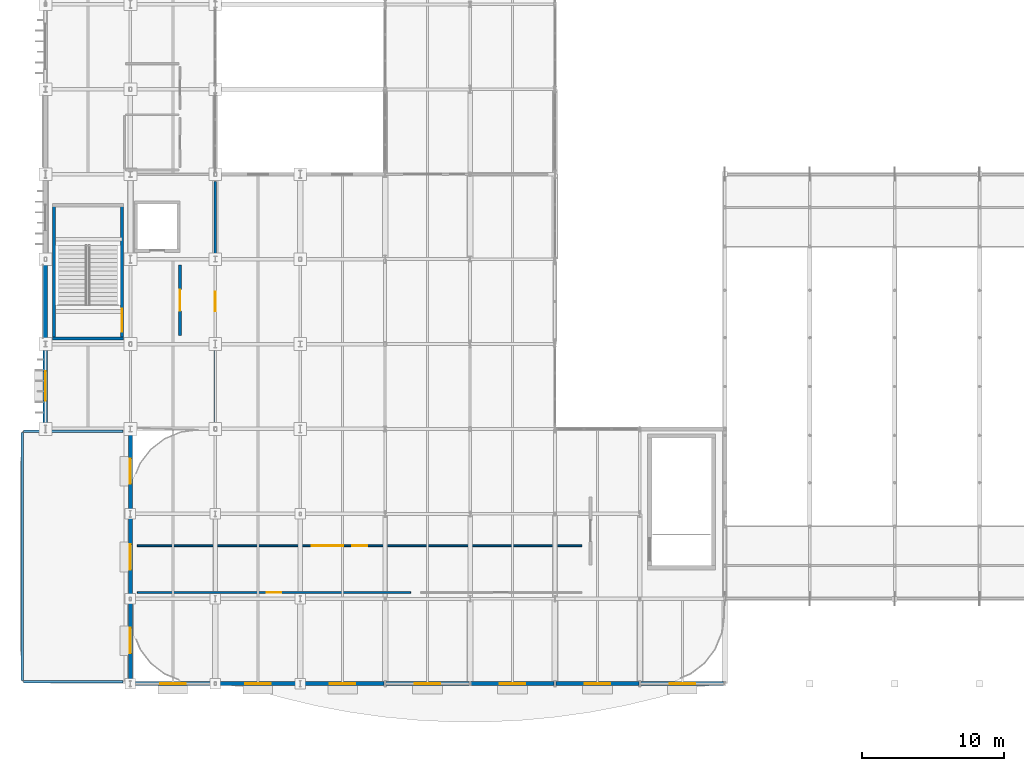
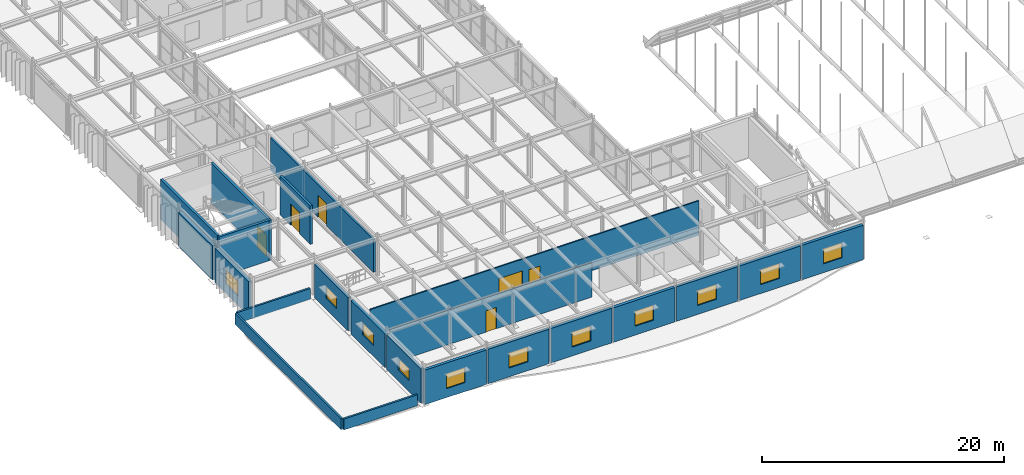
# One storey, part 85 of 116: 22 walls, 12 windows, 5 doors, 17 openings.
"""IFC4 building model written with IfcOpenShell, lengths in metres."""

from ifc_helpers import new_model, si_unit, direction, frame, frame_2d, origin, place, context, subcontext, project, spatial, rectangle, extrude, material, layer, layer_set, type_object, element, fill, save


model = new_model("IFC4")

# Units and contexts
model_context = context("Model", 3, precision=1e-05, world=origin(), true_north=direction((0.0, 1.0)))
body_context = subcontext(model_context, "Body", "Model", "MODEL_VIEW")
ifc_project = project(units=[si_unit("LENGTHUNIT", "METRE"), si_unit("AREAUNIT", "SQUARE_METRE"), si_unit("VOLUMEUNIT", "CUBIC_METRE"), si_unit("PLANEANGLEUNIT", "RADIAN"), si_unit("MASSUNIT", "GRAM", prefix="KILO")], contexts=[model_context])

# Site, building, storey
site_placement = place(None, origin())
site = spatial("IfcSite", under=ifc_project, at=site_placement, CompositionType="ELEMENT")
building_placement = place(site_placement, origin())
building = spatial("IfcBuilding", under=site, at=building_placement, Name="Varnakota Square Police Headquarters", CompositionType="ELEMENT")
storey_placement = place(building_placement, frame((0.0, 0.0, 9.300048828125)))
storey = spatial("IfcBuildingStorey", under=building, at=storey_placement, Name="L02", CompositionType="ELEMENT", Elevation=9.300048828125)

# Wall
ifc_material_1 = material(Name="Concrete M40", Category="concrete")
ifc_layer_1 = layer(ifc_material_1, 0.22998046875, Name="Concrete M40")
ifc_layer_set_1 = layer_set([ifc_layer_1], Name="Concrete M40")
wall_type_1 = type_object("IfcWallType", Name="WL-CORE-230", PredefinedType="SHEAR", material=ifc_layer_set_1)
wall_1_placement = place(storey_placement, frame((6.485107421875, 27.39990234375, 0.0), z_axis=(0.0, 0.0, 1.0), x_axis=(1.0, 0.0, 0.0)))
element("IfcWall", 1, at=wall_1_placement, inside=storey, type_object=wall_type_1, Name="Core C4 shear wall L02 S", PredefinedType="SHEAR", context=body_context, shape_type="SweptSolid", body=[
    extrude(rectangle(XDim=5.02978515625, YDim=0.22998046875, at=frame_2d((2.514892578125, 0.0))), origin(), (0.0, 0.0, 1.0), 4.06005859375),
])

# Wall, opening, door
wall_2_placement = place(storey_placement, frame((11.39990234375, 27.284912109375, 0.0), z_axis=(0.0, 0.0, 1.0), x_axis=(0.0, 1.0, 0.0)))
wall_2 = element("IfcWall", 2, at=wall_2_placement, inside=storey, type_object=wall_type_1, Name="Core C4 shear wall L02 E", PredefinedType="SHEAR", context=body_context, shape_type="SweptSolid", body=[
    extrude(rectangle(XDim=9.630126953125, YDim=0.22998046875, at=frame_2d((4.81494140625, 0.0))), origin(), (0.0, 0.0, 1.0), 4.06005859375),
])
opening_1_placement = place(wall_2_placement, frame((0.594970703125, 0.0, 0.0)))
opening_1 = element("IfcOpeningElement", 3, at=opening_1_placement, cuts=wall_2, Name="Opening SD067", PredefinedType="OPENING", context=body_context, shape_type="SweptSolid", body=[
    extrude(rectangle(XDim=1.60009765625, YDim=2.199951171875, at=frame_2d((0.800048828125, 1.10009765625))), frame((0.0, 0.125, 0.0), z_axis=(0.0, -1.0, 0.0), x_axis=(1.0, 0.0, 0.0)), (0.0, 0.0, 1.0), 0.25),
])
ifc_material_2 = material(Name="Powder-Coated Galvanised Steel", Category="steel")
door_type_1 = type_object("IfcDoorType", Name="DR-ST-160", OperationType="NOTDEFINED", PredefinedType="DOOR", material=ifc_material_2)
door_1_placement = place(opening_1_placement, origin())
door_1 = element("IfcDoor", 4, at=door_1_placement, inside=storey, type_object=door_type_1, Name="Protected stair door SD067", OperationType="DOUBLE_DOOR_SINGLE_SWING", OverallHeight=2.199951171875, OverallWidth=1.60009765625, PredefinedType="DOOR", context=body_context, shape_type="SweptSolid", body=[
    extrude(rectangle(XDim=1.60009765625, YDim=2.199951171875, at=frame_2d((0.800048828125, 1.10009765625))), frame((0.0, 0.02490234375, 0.0), z_axis=(0.0, -1.0, 0.0), x_axis=(1.0, 0.0, 0.0)), (0.0, 0.0, 1.0), 0.050048828125),
])
fill(opening_1, door_1)

# Wall
wall_3_placement = place(storey_placement, frame((6.60009765625, 36.9150390625, 0.0), z_axis=(0.0, 0.0, 1.0), x_axis=(0.0, -1.0, 0.0)))
element("IfcWall", 5, at=wall_3_placement, inside=storey, type_object=wall_type_1, Name="Core C4 shear wall L02 W", PredefinedType="SHEAR", context=body_context, shape_type="SweptSolid", body=[
    extrude(rectangle(XDim=9.630126953125, YDim=0.22998046875, at=frame_2d((4.81494140625, 0.0))), origin(), (0.0, 0.0, 1.0), 4.06005859375),
])

# Wall, opening, window
ifc_layer_2 = layer(ifc_material_1, 0.280029296875, Name="Concrete M40")
ifc_layer_set_2 = layer_set([ifc_layer_2], Name="Concrete M40")
wall_type_2 = type_object("IfcWallType", Name="WL-EXT-280", PredefinedType="SOLIDWALL", material=ifc_layer_set_2)
wall_4_placement = place(storey_placement, frame((12.073974609375, 3.0, 0.0), z_axis=(0.0, 0.0, 1.0), x_axis=(1.0, 0.0, 0.0)))
wall_4 = element("IfcWall", 6, at=wall_4_placement, inside=storey, type_object=wall_type_2, Name="Exterior wall EW-L02-0092", PredefinedType="SOLIDWALL", context=body_context, shape_type="SweptSolid", body=[
    extrude(rectangle(XDim=5.846923828125, YDim=0.280029296875, at=frame_2d((2.92333984375, 0.0))), origin(), (0.0, 0.0, 1.0), 3.483642578125),
])
opening_2_placement = place(wall_4_placement, frame((2.0234375, 0.0, 0.89990234375)))
opening_2 = element("IfcOpeningElement", 7, at=opening_2_placement, cuts=wall_4, Name="Opening W01", PredefinedType="OPENING", context=body_context, shape_type="SweptSolid", body=[
    extrude(rectangle(XDim=1.800048828125, YDim=1.5, at=frame_2d((0.89990234375, 0.75))), frame((0.0, 0.14990234375, 0.0), z_axis=(0.0, -1.0, 0.0), x_axis=(1.0, 0.0, 0.0)), (0.0, 0.0, 1.0), 0.300048828125),
])
ifc_material_3 = material(Name="Thermally Broken Aluminium Double-Glazed Window", Category="aluminium")
window_type_1 = type_object("IfcWindowType", Name="WIN-01", PartitioningType="SINGLE_PANEL", PredefinedType="WINDOW", material=ifc_material_3)
window_1_placement = place(opening_2_placement, origin())
window_1 = element("IfcWindow", 8, at=window_1_placement, inside=storey, type_object=window_type_1, Name="Window WN-L02-0004", OverallHeight=1.5, OverallWidth=1.800048828125, PartitioningType="SINGLE_PANEL", PredefinedType="WINDOW", context=body_context, shape_type="SweptSolid", body=[
    extrude(rectangle(XDim=1.800048828125, YDim=1.5, at=frame_2d((0.89990234375, 0.75))), frame((0.0, 0.030029296875, 0.0), z_axis=(0.0, -1.0, 0.0), x_axis=(1.0, 0.0, 0.0)), (0.0, 0.0, 1.0), 0.06005859375),
])
fill(opening_2, window_1)

wall_5_placement = place(storey_placement, frame((18.0791015625, 3.0, 0.0), z_axis=(0.0, 0.0, 1.0), x_axis=(1.0, 0.0, 0.0)))
wall_5 = element("IfcWall", 9, at=wall_5_placement, inside=storey, type_object=wall_type_2, Name="Exterior wall EW-L02-0093", PredefinedType="SOLIDWALL", context=body_context, shape_type="SweptSolid", body=[
    extrude(rectangle(XDim=5.841796875, YDim=0.280029296875, at=frame_2d((2.9208984375, 0.0))), origin(), (0.0, 0.0, 1.0), 3.483642578125),
])
opening_3_placement = place(wall_5_placement, frame((2.02099609375, 0.0, 0.89990234375)))
opening_3 = element("IfcOpeningElement", 10, at=opening_3_placement, cuts=wall_5, Name="Opening W01", PredefinedType="OPENING", context=body_context, shape_type="SweptSolid", body=[
    extrude(rectangle(XDim=1.800048828125, YDim=1.5, at=frame_2d((0.89990234375, 0.75))), frame((0.0, 0.14990234375, 0.0), z_axis=(0.0, -1.0, 0.0), x_axis=(1.0, 0.0, 0.0)), (0.0, 0.0, 1.0), 0.300048828125),
])
window_2_placement = place(opening_3_placement, origin())
window_2 = element("IfcWindow", 11, at=window_2_placement, inside=storey, type_object=window_type_1, Name="Window WN-L02-0005", OverallHeight=1.5, OverallWidth=1.800048828125, PartitioningType="SINGLE_PANEL", PredefinedType="WINDOW", context=body_context, shape_type="SweptSolid", body=[
    extrude(rectangle(XDim=1.800048828125, YDim=1.5, at=frame_2d((0.89990234375, 0.75))), frame((0.0, 0.030029296875, 0.0), z_axis=(0.0, -1.0, 0.0), x_axis=(1.0, 0.0, 0.0)), (0.0, 0.0, 1.0), 0.06005859375),
])
fill(opening_3, window_2)

wall_6_placement = place(storey_placement, frame((24.0791015625, 3.0, 0.0), z_axis=(0.0, 0.0, 1.0), x_axis=(1.0, 0.0, 0.0)))
wall_6 = element("IfcWall", 12, at=wall_6_placement, inside=storey, type_object=wall_type_2, Name="Exterior wall EW-L02-0094", PredefinedType="SOLIDWALL", context=body_context, shape_type="SweptSolid", body=[
    extrude(rectangle(XDim=5.846923828125, YDim=0.280029296875, at=frame_2d((2.92333984375, 0.0))), origin(), (0.0, 0.0, 1.0), 3.483642578125),
])
opening_4_placement = place(wall_6_placement, frame((2.0234375, 0.0, 0.89990234375)))
opening_4 = element("IfcOpeningElement", 13, at=opening_4_placement, cuts=wall_6, Name="Opening W01", PredefinedType="OPENING", context=body_context, shape_type="SweptSolid", body=[
    extrude(rectangle(XDim=1.800048828125, YDim=1.5, at=frame_2d((0.89990234375, 0.75))), frame((0.0, 0.14990234375, 0.0), z_axis=(0.0, -1.0, 0.0), x_axis=(1.0, 0.0, 0.0)), (0.0, 0.0, 1.0), 0.300048828125),
])
window_3_placement = place(opening_4_placement, origin())
window_3 = element("IfcWindow", 14, at=window_3_placement, inside=storey, type_object=window_type_1, Name="Window WN-L02-0006", OverallHeight=1.5, OverallWidth=1.800048828125, PartitioningType="SINGLE_PANEL", PredefinedType="WINDOW", context=body_context, shape_type="SweptSolid", body=[
    extrude(rectangle(XDim=1.800048828125, YDim=1.5, at=frame_2d((0.89990234375, 0.75))), frame((0.0, 0.030029296875, 0.0), z_axis=(0.0, -1.0, 0.0), x_axis=(1.0, 0.0, 0.0)), (0.0, 0.0, 1.0), 0.06005859375),
])
fill(opening_4, window_3)

wall_7_placement = place(storey_placement, frame((30.073974609375, 3.0, 0.0), z_axis=(0.0, 0.0, 1.0), x_axis=(1.0, 0.0, 0.0)))
wall_7 = element("IfcWall", 15, at=wall_7_placement, inside=storey, type_object=wall_type_2, Name="Exterior wall EW-L02-0095", PredefinedType="SOLIDWALL", context=body_context, shape_type="SweptSolid", body=[
    extrude(rectangle(XDim=5.846923828125, YDim=0.280029296875, at=frame_2d((2.92333984375, 0.0))), origin(), (0.0, 0.0, 1.0), 3.483642578125),
])
opening_5_placement = place(wall_7_placement, frame((2.0234375, 0.0, 0.89990234375)))
opening_5 = element("IfcOpeningElement", 16, at=opening_5_placement, cuts=wall_7, Name="Opening W01", PredefinedType="OPENING", context=body_context, shape_type="SweptSolid", body=[
    extrude(rectangle(XDim=1.800048828125, YDim=1.5, at=frame_2d((0.89990234375, 0.75))), frame((0.0, 0.14990234375, 0.0), z_axis=(0.0, -1.0, 0.0), x_axis=(1.0, 0.0, 0.0)), (0.0, 0.0, 1.0), 0.300048828125),
])
window_4_placement = place(opening_5_placement, origin())
window_4 = element("IfcWindow", 17, at=window_4_placement, inside=storey, type_object=window_type_1, Name="Window WN-L02-0007", OverallHeight=1.5, OverallWidth=1.800048828125, PartitioningType="SINGLE_PANEL", PredefinedType="WINDOW", context=body_context, shape_type="SweptSolid", body=[
    extrude(rectangle(XDim=1.800048828125, YDim=1.5, at=frame_2d((0.89990234375, 0.75))), frame((0.0, 0.030029296875, 0.0), z_axis=(0.0, -1.0, 0.0), x_axis=(1.0, 0.0, 0.0)), (0.0, 0.0, 1.0), 0.06005859375),
])
fill(opening_5, window_4)

wall_8_placement = place(storey_placement, frame((36.0791015625, 3.0, 0.0), z_axis=(0.0, 0.0, 1.0), x_axis=(1.0, 0.0, 0.0)))
wall_8 = element("IfcWall", 18, at=wall_8_placement, inside=storey, type_object=wall_type_2, Name="Exterior wall EW-L02-0096", PredefinedType="SOLIDWALL", context=body_context, shape_type="SweptSolid", body=[
    extrude(rectangle(XDim=5.841796875, YDim=0.280029296875, at=frame_2d((2.9208984375, 0.0))), origin(), (0.0, 0.0, 1.0), 3.483642578125),
])
opening_6_placement = place(wall_8_placement, frame((2.02099609375, 0.0, 0.89990234375)))
opening_6 = element("IfcOpeningElement", 19, at=opening_6_placement, cuts=wall_8, Name="Opening W01", PredefinedType="OPENING", context=body_context, shape_type="SweptSolid", body=[
    extrude(rectangle(XDim=1.800048828125, YDim=1.5, at=frame_2d((0.89990234375, 0.75))), frame((0.0, 0.14990234375, 0.0), z_axis=(0.0, -1.0, 0.0), x_axis=(1.0, 0.0, 0.0)), (0.0, 0.0, 1.0), 0.300048828125),
])
window_5_placement = place(opening_6_placement, origin())
window_5 = element("IfcWindow", 20, at=window_5_placement, inside=storey, type_object=window_type_1, Name="Window WN-L02-0008", OverallHeight=1.5, OverallWidth=1.800048828125, PartitioningType="SINGLE_PANEL", PredefinedType="WINDOW", context=body_context, shape_type="SweptSolid", body=[
    extrude(rectangle(XDim=1.800048828125, YDim=1.5, at=frame_2d((0.89990234375, 0.75))), frame((0.0, 0.030029296875, 0.0), z_axis=(0.0, -1.0, 0.0), x_axis=(1.0, 0.0, 0.0)), (0.0, 0.0, 1.0), 0.06005859375),
])
fill(opening_6, window_5)

wall_9_placement = place(storey_placement, frame((42.0791015625, 3.0, 0.0), z_axis=(0.0, 0.0, 1.0), x_axis=(1.0, 0.0, 0.0)))
wall_9 = element("IfcWall", 21, at=wall_9_placement, inside=storey, type_object=wall_type_2, Name="Exterior wall EW-L02-0097", PredefinedType="SOLIDWALL", context=body_context, shape_type="SweptSolid", body=[
    extrude(rectangle(XDim=5.846923828125, YDim=0.280029296875, at=frame_2d((2.92333984375, 0.0))), origin(), (0.0, 0.0, 1.0), 3.483642578125),
])
opening_7_placement = place(wall_9_placement, frame((2.0234375, 0.0, 0.89990234375)))
opening_7 = element("IfcOpeningElement", 22, at=opening_7_placement, cuts=wall_9, Name="Opening W01", PredefinedType="OPENING", context=body_context, shape_type="SweptSolid", body=[
    extrude(rectangle(XDim=1.800048828125, YDim=1.5, at=frame_2d((0.89990234375, 0.75))), frame((0.0, 0.14990234375, 0.0), z_axis=(0.0, -1.0, 0.0), x_axis=(1.0, 0.0, 0.0)), (0.0, 0.0, 1.0), 0.300048828125),
])
window_6_placement = place(opening_7_placement, origin())
window_6 = element("IfcWindow", 23, at=window_6_placement, inside=storey, type_object=window_type_1, Name="Window WN-L02-0009", OverallHeight=1.5, OverallWidth=1.800048828125, PartitioningType="SINGLE_PANEL", PredefinedType="WINDOW", context=body_context, shape_type="SweptSolid", body=[
    extrude(rectangle(XDim=1.800048828125, YDim=1.5, at=frame_2d((0.89990234375, 0.75))), frame((0.0, 0.030029296875, 0.0), z_axis=(0.0, -1.0, 0.0), x_axis=(1.0, 0.0, 0.0)), (0.0, 0.0, 1.0), 0.06005859375),
])
fill(opening_7, window_6)

wall_10_placement = place(storey_placement, frame((48.073974609375, 3.0, 0.0), z_axis=(0.0, 0.0, 1.0), x_axis=(1.0, 0.0, 0.0)))
wall_10 = element("IfcWall", 24, at=wall_10_placement, inside=storey, type_object=wall_type_2, Name="Exterior wall EW-L02-0098", PredefinedType="SOLIDWALL", context=body_context, shape_type="SweptSolid", body=[
    extrude(rectangle(XDim=5.846923828125, YDim=0.280029296875, at=frame_2d((2.92333984375, 0.0))), origin(), (0.0, 0.0, 1.0), 3.483642578125),
])
opening_8_placement = place(wall_10_placement, frame((2.0234375, 0.0, 0.89990234375)))
opening_8 = element("IfcOpeningElement", 25, at=opening_8_placement, cuts=wall_10, Name="Opening W01", PredefinedType="OPENING", context=body_context, shape_type="SweptSolid", body=[
    extrude(rectangle(XDim=1.800048828125, YDim=1.5, at=frame_2d((0.89990234375, 0.75))), frame((0.0, 0.14990234375, 0.0), z_axis=(0.0, -1.0, 0.0), x_axis=(1.0, 0.0, 0.0)), (0.0, 0.0, 1.0), 0.300048828125),
])
window_7_placement = place(opening_8_placement, origin())
window_7 = element("IfcWindow", 26, at=window_7_placement, inside=storey, type_object=window_type_1, Name="Window WN-L02-0010", OverallHeight=1.5, OverallWidth=1.800048828125, PartitioningType="SINGLE_PANEL", PredefinedType="WINDOW", context=body_context, shape_type="SweptSolid", body=[
    extrude(rectangle(XDim=1.800048828125, YDim=1.5, at=frame_2d((0.89990234375, 0.75))), frame((0.0, 0.030029296875, 0.0), z_axis=(0.0, -1.0, 0.0), x_axis=(1.0, 0.0, 0.0)), (0.0, 0.0, 1.0), 0.06005859375),
])
fill(opening_8, window_7)

wall_11_placement = place(storey_placement, frame((12.0, 3.2041015625, 0.0), z_axis=(0.0, 0.0, 1.0), x_axis=(0.0, 1.0, 0.0)))
wall_11 = element("IfcWall", 27, at=wall_11_placement, inside=storey, type_object=wall_type_2, Name="Exterior wall EW-L02-0100", PredefinedType="SOLIDWALL", context=body_context, shape_type="SweptSolid", body=[
    extrude(rectangle(XDim=5.6669921875, YDim=0.280029296875, at=frame_2d((2.83349609375, 0.0))), origin(), (0.0, 0.0, 1.0), 3.483642578125),
])
opening_9_placement = place(wall_11_placement, frame((1.93359375, 0.0, 1.10009765625)))
opening_9 = element("IfcOpeningElement", 28, at=opening_9_placement, cuts=wall_11, Name="Opening W05", PredefinedType="OPENING", context=body_context, shape_type="SweptSolid", body=[
    extrude(rectangle(XDim=1.800048828125, YDim=1.199951171875, at=frame_2d((0.89990234375, 0.60009765625))), frame((0.0, 0.14990234375, 0.0), z_axis=(0.0, -1.0, 0.0), x_axis=(1.0, 0.0, 0.0)), (0.0, 0.0, 1.0), 0.300048828125),
])
window_type_2 = type_object("IfcWindowType", Name="WIN-05", PartitioningType="SINGLE_PANEL", PredefinedType="WINDOW", material=ifc_material_3)
window_8_placement = place(opening_9_placement, origin())
window_8 = element("IfcWindow", 29, at=window_8_placement, inside=storey, type_object=window_type_2, Name="Window WN-L02-0011", OverallHeight=1.199951171875, OverallWidth=1.800048828125, PartitioningType="SINGLE_PANEL", PredefinedType="WINDOW", context=body_context, shape_type="SweptSolid", body=[
    extrude(rectangle(XDim=1.800048828125, YDim=1.199951171875, at=frame_2d((0.89990234375, 0.60009765625))), frame((0.0, 0.030029296875, 0.0), z_axis=(0.0, -1.0, 0.0), x_axis=(1.0, 0.0, 0.0)), (0.0, 0.0, 1.0), 0.06005859375),
])
fill(opening_9, window_8)

wall_12_placement = place(storey_placement, frame((12.0, 9.12890625, 0.0), z_axis=(0.0, 0.0, 1.0), x_axis=(0.0, 1.0, 0.0)))
wall_12 = element("IfcWall", 30, at=wall_12_placement, inside=storey, type_object=wall_type_2, Name="Exterior wall EW-L02-0101", PredefinedType="SOLIDWALL", context=body_context, shape_type="SweptSolid", body=[
    extrude(rectangle(XDim=5.64208984375, YDim=0.280029296875, at=frame_2d((2.821044921875, 0.0))), origin(), (0.0, 0.0, 1.0), 3.389892578125),
])
opening_10_placement = place(wall_12_placement, frame((1.9208984375, 0.0, 1.10009765625)))
opening_10 = element("IfcOpeningElement", 31, at=opening_10_placement, cuts=wall_12, Name="Opening W05", PredefinedType="OPENING", context=body_context, shape_type="SweptSolid", body=[
    extrude(rectangle(XDim=1.800048828125, YDim=1.199951171875, at=frame_2d((0.89990234375, 0.60009765625))), frame((0.0, 0.14990234375, 0.0), z_axis=(0.0, -1.0, 0.0), x_axis=(1.0, 0.0, 0.0)), (0.0, 0.0, 1.0), 0.300048828125),
])
window_9_placement = place(opening_10_placement, origin())
window_9 = element("IfcWindow", 32, at=window_9_placement, inside=storey, type_object=window_type_2, Name="Window WN-L02-0012", OverallHeight=1.199951171875, OverallWidth=1.800048828125, PartitioningType="SINGLE_PANEL", PredefinedType="WINDOW", context=body_context, shape_type="SweptSolid", body=[
    extrude(rectangle(XDim=1.800048828125, YDim=1.199951171875, at=frame_2d((0.89990234375, 0.60009765625))), frame((0.0, 0.030029296875, 0.0), z_axis=(0.0, -1.0, 0.0), x_axis=(1.0, 0.0, 0.0)), (0.0, 0.0, 1.0), 0.06005859375),
])
fill(opening_10, window_9)

wall_13_placement = place(storey_placement, frame((12.0, 15.22900390625, 0.0), z_axis=(0.0, 0.0, 1.0), x_axis=(0.0, 1.0, 0.0)))
wall_13 = element("IfcWall", 33, at=wall_13_placement, inside=storey, type_object=wall_type_2, Name="Exterior wall EW-L02-0102", PredefinedType="SOLIDWALL", context=body_context, shape_type="SweptSolid", body=[
    extrude(rectangle(XDim=5.56689453125, YDim=0.280029296875, at=frame_2d((2.783447265625, 0.0))), origin(), (0.0, 0.0, 1.0), 3.389892578125),
])
opening_11_placement = place(wall_13_placement, frame((1.883544921875, 0.0, 1.10009765625)))
opening_11 = element("IfcOpeningElement", 34, at=opening_11_placement, cuts=wall_13, Name="Opening W05", PredefinedType="OPENING", context=body_context, shape_type="SweptSolid", body=[
    extrude(rectangle(XDim=1.800048828125, YDim=1.199951171875, at=frame_2d((0.89990234375, 0.60009765625))), frame((0.0, 0.14990234375, 0.0), z_axis=(0.0, -1.0, 0.0), x_axis=(1.0, 0.0, 0.0)), (0.0, 0.0, 1.0), 0.300048828125),
])
window_10_placement = place(opening_11_placement, origin())
window_10 = element("IfcWindow", 35, at=window_10_placement, inside=storey, type_object=window_type_2, Name="Window WN-L02-0013", OverallHeight=1.199951171875, OverallWidth=1.800048828125, PartitioningType="SINGLE_PANEL", PredefinedType="WINDOW", context=body_context, shape_type="SweptSolid", body=[
    extrude(rectangle(XDim=1.800048828125, YDim=1.199951171875, at=frame_2d((0.89990234375, 0.60009765625))), frame((0.0, 0.030029296875, 0.0), z_axis=(0.0, -1.0, 0.0), x_axis=(1.0, 0.0, 0.0)), (0.0, 0.0, 1.0), 0.06005859375),
])
fill(opening_11, window_10)

ifc_material_4 = material(Name="Precast concrete M40", Category="concrete")
ifc_layer_3 = layer(ifc_material_4, 0.320068359375, Name="Precast concrete M40")
ifc_layer_set_3 = layer_set([ifc_layer_3], Name="Precast concrete M40")
wall_type_3 = type_object("IfcWallType", Name="WL-EXT-320", PredefinedType="SOLIDWALL", material=ifc_layer_set_3)
wall_14_placement = place(storey_placement, frame((6.0, 21.279052734375, 0.0), z_axis=(0.0, 0.0, 1.0), x_axis=(0.0, 1.0, 0.0)))
wall_14 = element("IfcWall", 36, at=wall_14_placement, inside=storey, type_object=wall_type_3, Name="Exterior wall EW-L02-0412", PredefinedType="SOLIDWALL", context=body_context, shape_type="SweptSolid", body=[
    extrude(rectangle(XDim=5.516845703125, YDim=0.320068359375, at=frame_2d((2.75830078125, 0.0))), origin(), (0.0, 0.0, 1.0), 3.43994140625),
])
opening_12_placement = place(wall_14_placement, frame((1.70849609375, 0.0, 0.89990234375)))
opening_12 = element("IfcOpeningElement", 37, at=opening_12_placement, cuts=wall_14, Name="Opening W08", PredefinedType="OPENING", context=body_context, shape_type="SweptSolid", body=[
    extrude(rectangle(XDim=2.10009765625, YDim=1.5, at=frame_2d((1.050048828125, 0.75))), frame((0.0, 0.169921875, 0.0), z_axis=(0.0, -1.0, 0.0), x_axis=(1.0, 0.0, 0.0)), (0.0, 0.0, 1.0), 0.340087890625),
])
window_type_3 = type_object("IfcWindowType", Name="WIN-08", PartitioningType="SINGLE_PANEL", PredefinedType="WINDOW", material=ifc_material_3)
window_11_placement = place(opening_12_placement, origin())
window_11 = element("IfcWindow", 38, at=window_11_placement, inside=storey, type_object=window_type_3, Name="Window WN-L02-0080", OverallHeight=1.5, OverallWidth=2.10009765625, PartitioningType="SINGLE_PANEL", PredefinedType="WINDOW", context=body_context, shape_type="SweptSolid", body=[
    extrude(rectangle(XDim=2.10009765625, YDim=1.5, at=frame_2d((1.050048828125, 0.75))), frame((0.0, 0.030029296875, 0.0), z_axis=(0.0, -1.0, 0.0), x_axis=(1.0, 0.0, 0.0)), (0.0, 0.0, 1.0), 0.06005859375),
])
fill(opening_12, window_11)

# Walls
wall_15_placement = place(storey_placement, frame((6.0, 27.2041015625, 0.0), z_axis=(0.0, 0.0, 1.0), x_axis=(0.0, 1.0, 0.0)))
element("IfcWall", 39, at=wall_15_placement, inside=storey, type_object=wall_type_3, Name="Exterior wall EW-L02-0413", PredefinedType="SOLIDWALL", context=body_context, shape_type="SweptSolid", body=[
    extrude(rectangle(XDim=5.641845703125, YDim=0.320068359375, at=frame_2d((2.82080078125, 0.0))), origin(), (0.0, 0.0, 1.0), 3.43994140625),
])
ifc_layer_4 = layer(ifc_material_4, 0.179931640625, Name="Precast concrete M40")
ifc_layer_set_4 = layer_set([ifc_layer_4], Name="Precast concrete M40")
wall_type_4 = type_object("IfcWallType", Name="WL-PAR-180", PredefinedType="PARAPET", material=ifc_layer_set_4)
for number, where, z_axis, x_axis, name in (
    (40, (4.43994140625, 3.14990234375, 0.0), (0.0, 0.0, 1.0), (1.0, 0.0, 0.0), "Roof parapet wall PAR-L02-001"),
    (41, (11.4599609375, 20.85009765625, 0.0), (0.0, 0.0, 1.0), (-1.0, 0.0, 0.0), "Roof parapet wall PAR-L02-002"),
):
    element("IfcWall", number, at=place(storey_placement, frame(where, z_axis=z_axis, x_axis=x_axis)), inside=storey, type_object=wall_type_4, Name=name, PredefinedType="PARAPET", context=body_context, shape_type="SweptSolid", body=[
        extrude(rectangle(XDim=7.02001953125, YDim=0.179931640625, at=frame_2d((3.510009765625, 0.0))), origin(), (0.0, 0.0, 1.0), 1.099853515625),
    ])
wall_16_placement = place(storey_placement, frame((4.35009765625, 20.760009765625, 0.0), z_axis=(0.0, 0.0, 1.0), x_axis=(0.0, -1.0, 0.0)))
element("IfcWall", 42, at=wall_16_placement, inside=storey, type_object=wall_type_4, Name="Roof parapet wall PAR-L02-003", PredefinedType="PARAPET", context=body_context, shape_type="SweptSolid", body=[
    extrude(rectangle(XDim=17.52001953125, YDim=0.179931640625, at=frame_2d((8.760009765625, 0.0))), origin(), (0.0, 0.0, 1.0), 1.099853515625),
])

# Wall, opening, door
ifc_material_5 = material(Name="Moisture-Resistant Tile-Backed Partition", Category="gypsum")
ifc_layer_5 = layer(ifc_material_5, 0.114990234375, Name="Moisture-Resistant Tile-Backed Partition")
ifc_layer_set_5 = layer_set([ifc_layer_5], Name="Moisture-Resistant Tile-Backed Partition")
wall_type_5 = type_object("IfcWallType", Name="WL-PRT-115", PredefinedType="PARTITIONING", material=ifc_layer_set_5)
wall_17_placement = place(storey_placement, frame((12.5, 9.449951171875, 0.0), z_axis=(0.0, 0.0, 1.0), x_axis=(1.0, 0.0, 0.0)))
wall_17 = element("IfcWall", 43, at=wall_17_placement, inside=storey, type_object=wall_type_5, Name="Interior partition PW-L02-0132 (Central Public Records Archive Office)", PredefinedType="PARTITIONING", context=body_context, shape_type="SweptSolid", body=[
    extrude(rectangle(XDim=19.300048828125, YDim=0.114990234375, at=frame_2d((9.64990234375, 0.0))), origin(), (0.0, 0.0, 1.0), 3.489990234375),
])
opening_13_placement = place(wall_17_placement, frame((9.14990234375, 0.0, 0.0)))
opening_13 = element("IfcOpeningElement", 44, at=opening_13_placement, cuts=wall_17, Name="Opening D219", PredefinedType="OPENING", context=body_context, shape_type="SweptSolid", body=[
    extrude(rectangle(XDim=1.0, YDim=2.14990234375, at=frame_2d((0.5, 1.074951171875))), frame((0.0, 0.0673828125, 0.0), z_axis=(0.0, -1.0, 0.0), x_axis=(1.0, 0.0, 0.0)), (0.0, 0.0, 1.0), 0.135009765625),
])
ifc_material_6 = material(Name="Solid-Core Teak Veneer Hardwood", Category="wood")
door_type_2 = type_object("IfcDoorType", Name="DR-OFF-100", OperationType="NOTDEFINED", PredefinedType="DOOR", material=ifc_material_6)
door_2_placement = place(opening_13_placement, origin())
door_2 = element("IfcDoor", 45, at=door_2_placement, inside=storey, type_object=door_type_2, Name="Room door D219 (Central Public Records Archive Office)", OperationType="SINGLE_SWING_RIGHT", OverallHeight=2.14990234375, OverallWidth=1.0, PredefinedType="DOOR", context=body_context, shape_type="SweptSolid", body=[
    extrude(rectangle(XDim=1.0, YDim=2.14990234375, at=frame_2d((0.5, 1.074951171875))), frame((0.0, 0.02490234375, 0.0), z_axis=(0.0, -1.0, 0.0), x_axis=(1.0, 0.0, 0.0)), (0.0, 0.0, 1.0), 0.050048828125),
])
fill(opening_13, door_2)

# Wall, openings, door, window
ifc_material_7 = material(Name="Acoustic Insulated Metal-Stud Partition", Category="gypsum")
ifc_layer_6 = layer(ifc_material_7, 0.125, Name="Acoustic Insulated Metal-Stud Partition")
ifc_layer_set_6 = layer_set([ifc_layer_6], Name="Acoustic Insulated Metal-Stud Partition")
wall_type_6 = type_object("IfcWallType", Name="WL-PRT-125", PredefinedType="PARTITIONING", material=ifc_layer_set_6)
wall_18_placement = place(storey_placement, frame((43.89990234375, 12.75, 0.0), z_axis=(0.0, 0.0, 1.0), x_axis=(-1.0, 0.0, 0.0)))
wall_18 = element("IfcWall", 46, at=wall_18_placement, inside=storey, type_object=wall_type_6, Name="Interior partition PW-L02-0134 (Public Gazette Reading Room)", PredefinedType="PARTITIONING", context=body_context, shape_type="SweptSolid", body=[
    extrude(rectangle(XDim=31.39990234375, YDim=0.125, at=frame_2d((15.699951171875, 0.0))), origin(), (0.0, 0.0, 1.0), 3.489990234375),
])
opening_14_placement = place(wall_18_placement, frame((15.175048828125, 0.0, 0.0)))
opening_14 = element("IfcOpeningElement", 47, at=opening_14_placement, cuts=wall_18, Name="Opening D221", PredefinedType="OPENING", context=body_context, shape_type="SweptSolid", body=[
    extrude(rectangle(XDim=1.050048828125, YDim=2.199951171875, at=frame_2d((0.52490234375, 1.10009765625))), frame((0.0, 0.072509765625, 0.0), z_axis=(0.0, -1.0, 0.0), x_axis=(1.0, 0.0, 0.0)), (0.0, 0.0, 1.0), 0.14501953125),
])
opening_15_placement = place(wall_18_placement, frame((16.875, 0.0, 0.89990234375)))
opening_15 = element("IfcOpeningElement", 48, at=opening_15_placement, cuts=wall_18, Name="Opening IW06", PredefinedType="OPENING", context=body_context, shape_type="SweptSolid", body=[
    extrude(rectangle(XDim=2.199951171875, YDim=1.39990234375, at=frame_2d((1.10009765625, 0.699951171875))), frame((0.0, 0.072509765625, 0.0), z_axis=(0.0, -1.0, 0.0), x_axis=(1.0, 0.0, 0.0)), (0.0, 0.0, 1.0), 0.14501953125),
])
ifc_material_8 = material(Name="Anodised Aluminium and Laminated Acoustic Glass", Category="aluminium")
door_type_3 = type_object("IfcDoorType", Name="DR-OFF-105", OperationType="NOTDEFINED", PredefinedType="DOOR", material=ifc_material_8)
door_3_placement = place(opening_14_placement, origin())
door_3 = element("IfcDoor", 49, at=door_3_placement, inside=storey, type_object=door_type_3, Name="Room door D221 (Public Gazette Reading Room)", OperationType="SINGLE_SWING_RIGHT", OverallHeight=2.199951171875, OverallWidth=1.050048828125, PredefinedType="DOOR", context=body_context, shape_type="SweptSolid", body=[
    extrude(rectangle(XDim=1.050048828125, YDim=2.199951171875, at=frame_2d((0.52490234375, 1.10009765625))), frame((0.0, 0.02490234375, 0.0), z_axis=(0.0, -1.0, 0.0), x_axis=(1.0, 0.0, 0.0)), (0.0, 0.0, 1.0), 0.050048828125),
])
fill(opening_14, door_3)
ifc_material_9 = material(Name="Acoustic Laminated Interior Vision Glazing", Category="glass")
window_type_4 = type_object("IfcWindowType", Name="WIN-INT-06", PartitioningType="SINGLE_PANEL", PredefinedType="WINDOW", material=ifc_material_9)
window_12_placement = place(opening_15_placement, origin())
window_12 = element("IfcWindow", 50, at=window_12_placement, inside=storey, type_object=window_type_4, Name="Interior observation window IWN-L02-022", OverallHeight=1.39990234375, OverallWidth=2.199951171875, PartitioningType="SINGLE_PANEL", PredefinedType="WINDOW", context=body_context, shape_type="SweptSolid", body=[
    extrude(rectangle(XDim=2.199951171875, YDim=1.39990234375, at=frame_2d((1.10009765625, 0.699951171875))), frame((0.0, 0.030029296875, 0.0), z_axis=(0.0, -1.0, 0.0), x_axis=(1.0, 0.0, 0.0)), (0.0, 0.0, 1.0), 0.06005859375),
])
fill(opening_15, window_12)

# Wall, opening, door
ifc_material_10 = material(Name="Autoclaved Aerated Concrete Blockwork", Category="masonry")
ifc_layer_7 = layer(ifc_material_10, 0.175048828125, Name="Autoclaved Aerated Concrete Blockwork")
ifc_layer_set_7 = layer_set([ifc_layer_7], Name="Autoclaved Aerated Concrete Blockwork")
wall_type_7 = type_object("IfcWallType", Name="WL-PRT-175F", PredefinedType="PARTITIONING", material=ifc_layer_set_7)
wall_19_placement = place(storey_placement, frame((18.0, 21.5, 0.0), z_axis=(0.0, 0.0, 1.0), x_axis=(0.0, 1.0, 0.0)))
wall_19 = element("IfcWall", 51, at=wall_19_placement, inside=storey, type_object=wall_type_7, Name="Interior partition PW-L02-0143 (High-Security Narcotics and Currency Evidence Storage Vault)", PredefinedType="PARTITIONING", context=body_context, shape_type="SweptSolid", body=[
    extrude(rectangle(XDim=17.0, YDim=0.175048828125, at=frame_2d((8.5, 0.0))), origin(), (0.0, 0.0, 1.0), 3.2900390625),
])
opening_16_placement = place(wall_19_placement, frame((7.800048828125, 0.0, 0.0)))
opening_16 = element("IfcOpeningElement", 52, at=opening_16_placement, cuts=wall_19, Name="Opening D230", PredefinedType="OPENING", context=body_context, shape_type="SweptSolid", body=[
    extrude(rectangle(XDim=1.39990234375, YDim=2.25, at=frame_2d((0.699951171875, 1.125))), frame((0.0, 0.097412109375, 0.0), z_axis=(0.0, -1.0, 0.0), x_axis=(1.0, 0.0, 0.0)), (0.0, 0.0, 1.0), 0.195068359375),
])
ifc_material_11 = material(Name="Heavy-Plate Ballistic Armour Steel", Category="steel")
door_type_4 = type_object("IfcDoorType", Name="DR-VLT-140", OperationType="NOTDEFINED", PredefinedType="DOOR", material=ifc_material_11)
door_4_placement = place(opening_16_placement, origin())
door_4 = element("IfcDoor", 53, at=door_4_placement, inside=storey, type_object=door_type_4, Name="Room door D230 (High-Security Narcotics and Currency Evidence Storage Vault)", OperationType="SINGLE_SWING_LEFT", OverallHeight=2.25, OverallWidth=1.39990234375, PredefinedType="DOOR", context=body_context, shape_type="SweptSolid", body=[
    extrude(rectangle(XDim=1.39990234375, YDim=2.25, at=frame_2d((0.699951171875, 1.125))), frame((0.0, 0.02490234375, 0.0), z_axis=(0.0, -1.0, 0.0), x_axis=(1.0, 0.0, 0.0)), (0.0, 0.0, 1.0), 0.050048828125),
])
fill(opening_16, door_4)

ifc_layer_8 = layer(ifc_material_1, 0.215087890625, Name="Concrete M40")
ifc_layer_set_8 = layer_set([ifc_layer_8], Name="Concrete M40")
wall_type_8 = type_object("IfcWallType", Name="WL-PRT-215F", PredefinedType="PARTITIONING", material=ifc_layer_set_8)
wall_20_placement = place(storey_placement, frame((15.5, 27.60009765625, 0.0), z_axis=(0.0, 0.0, 1.0), x_axis=(0.0, 1.0, 0.0)))
wall_20 = element("IfcWall", 54, at=wall_20_placement, inside=storey, type_object=wall_type_8, Name="Core C4 lobby fire partition L02", PredefinedType="PARTITIONING", context=body_context, shape_type="SweptSolid", body=[
    extrude(rectangle(XDim=5.0, YDim=0.215087890625, at=frame_2d((2.5, 0.0))), origin(), (0.0, 0.0, 1.0), 3.889892578125),
])
opening_17_placement = place(wall_20_placement, frame((1.75, 0.0, 0.0)))
opening_17 = element("IfcOpeningElement", 55, at=opening_17_placement, cuts=wall_20, Name="Opening FD073", PredefinedType="OPENING", context=body_context, shape_type="SweptSolid", body=[
    extrude(rectangle(XDim=1.5, YDim=2.14990234375, at=frame_2d((0.75, 1.074951171875))), frame((0.0, 0.117431640625, 0.0), z_axis=(0.0, -1.0, 0.0), x_axis=(1.0, 0.0, 0.0)), (0.0, 0.0, 1.0), 0.235107421875),
])
ifc_material_12 = material(Name="Smoke-Sealed Galvanised Acoustic Steel", Category="steel")
door_type_5 = type_object("IfcDoorType", Name="DR-FFL-150", OperationType="NOTDEFINED", PredefinedType="DOOR", material=ifc_material_12)
door_5_placement = place(opening_17_placement, origin())
door_5 = element("IfcDoor", 56, at=door_5_placement, inside=storey, type_object=door_type_5, Name="Core lobby smoke door FD073", OperationType="DOUBLE_DOOR_SINGLE_SWING", OverallHeight=2.14990234375, OverallWidth=1.5, PredefinedType="DOOR", context=body_context, shape_type="SweptSolid", body=[
    extrude(rectangle(XDim=1.5, YDim=2.14990234375, at=frame_2d((0.75, 1.074951171875))), frame((0.0, 0.02490234375, 0.0), z_axis=(0.0, -1.0, 0.0), x_axis=(1.0, 0.0, 0.0)), (0.0, 0.0, 1.0), 0.050048828125),
])
fill(opening_17, door_5)

save(model, "model.ifc")
